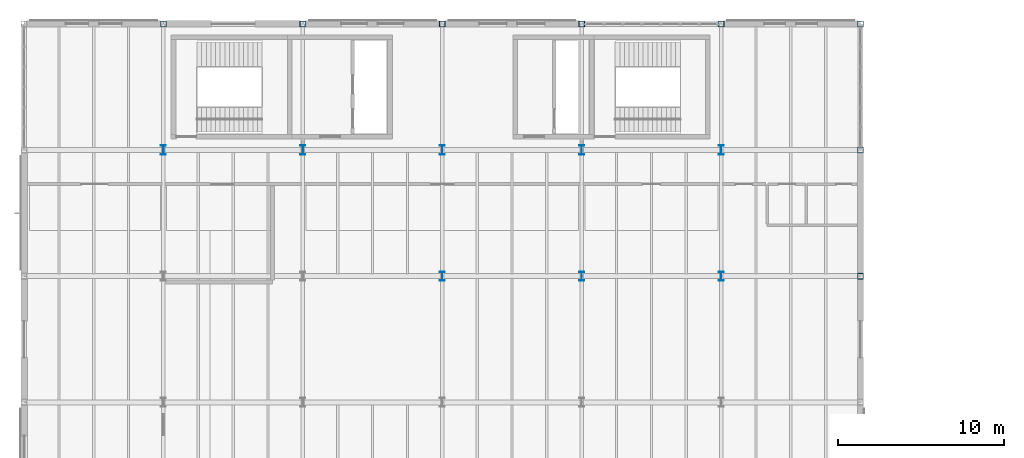
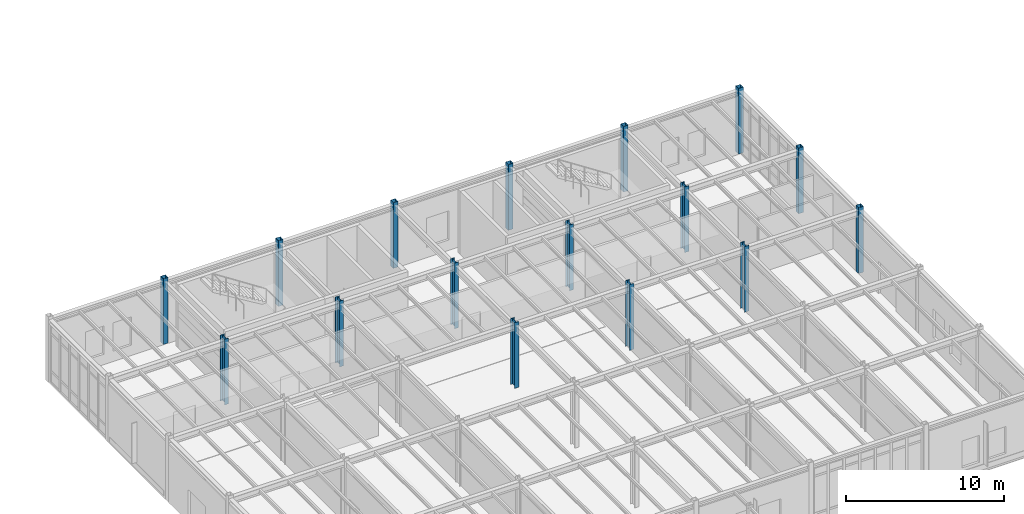
# One storey, part 19 of 109: 16 columns.
"""IFC4 building model written with IfcOpenShell, lengths in metres."""

from ifc_helpers import new_model, si_unit, direction, frame, origin, origin_2d, place, context, subcontext, project, spatial, hollow_rectangle, i_section, extrude, material, material_profile, profile_set, type_object, element, save


model = new_model("IFC4")

# Units and contexts
model_context = context("Model", 3, precision=1e-05, world=origin(), true_north=direction((0.0, 1.0)))
body_context = subcontext(model_context, "Body", "Model", "MODEL_VIEW")
ifc_project = project(units=[si_unit("LENGTHUNIT", "METRE"), si_unit("AREAUNIT", "SQUARE_METRE"), si_unit("VOLUMEUNIT", "CUBIC_METRE"), si_unit("PLANEANGLEUNIT", "RADIAN"), si_unit("MASSUNIT", "GRAM", prefix="KILO")], contexts=[model_context])

# Site, building, storey
site_placement = place(None, origin())
site = spatial("IfcSite", under=ifc_project, at=site_placement, CompositionType="ELEMENT")
building_placement = place(site_placement, origin())
building = spatial("IfcBuilding", under=site, at=building_placement, Name="Montecoro Central Library", CompositionType="ELEMENT")
storey_placement = place(building_placement, origin())
storey = spatial("IfcBuildingStorey", under=building, at=storey_placement, Name="L00", CompositionType="ELEMENT", Elevation=0.0)

# Columns
ifc_material = material(Name="Steel S355J2", Category="steel")
ifc_material_profile_1 = material_profile(ifc_material, i_section(OverallWidth=0.300048828125, OverallDepth=0.550048828125, WebThickness=0.014892578125, FlangeThickness=0.029052734375, at=origin_2d()), Name="HEB 550")
ifc_profile_set_1 = profile_set([ifc_material_profile_1], Name="Steel S355J2")
column_type_1 = type_object("IfcColumnType", Name="COL-HEB550", PredefinedType="COLUMN", material=ifc_profile_set_1)
for number, where, z_axis, x_axis, name in (
    (1, (74.800048828125, 111.39990234375, 0.0), (0.0, 0.0, 1.0), (1.0, 0.0, 0.0), "V2-L00-COL-10-Q"),
    (2, (83.199951171875, 111.39990234375, 0.0), (0.0, 0.0, 1.0), (1.0, 0.0, 0.0), "V2-L00-COL-11-Q"),
    (3, (91.60009765625, 103.800048828125, 0.0), (0.0, 0.0, 1.0), (1.0, 0.0, 0.0), "V2-L00-COL-12-P"),
    (4, (91.60009765625, 111.39990234375, 0.0), (0.0, 0.0, 1.0), (1.0, 0.0, 0.0), "V2-L00-COL-12-Q"),
    (5, (100.0, 103.800048828125, 0.0), (0.0, 0.0, 1.0), (1.0, 0.0, 0.0), "V2-L00-COL-13-P"),
    (6, (100.0, 111.39990234375, 0.0), (0.0, 0.0, 1.0), (1.0, 0.0, 0.0), "V2-L00-COL-13-Q"),
    (7, (108.39990234375, 103.800048828125, 0.0), (0.0, 0.0, 1.0), (1.0, 0.0, 0.0), "V2-L00-COL-14-P"),
    (8, (108.39990234375, 111.39990234375, 0.0), (0.0, 0.0, 1.0), (1.0, 0.0, 0.0), "V2-L00-COL-14-Q"),
):
    element("IfcColumn", number, at=place(storey_placement, frame(where, z_axis=z_axis, x_axis=x_axis)), inside=storey, type_object=column_type_1, Name=name, PredefinedType="COLUMN", context=body_context, shape_type="SweptSolid", body=[
        extrude(i_section(OverallWidth=0.300048828125, OverallDepth=0.550048828125, WebThickness=0.014892578125, FlangeThickness=0.029052734375, at=origin_2d()), origin(), (0.0, 0.0, 1.0), 5.074951171875),
    ])
ifc_material_profile_2 = material_profile(ifc_material, hollow_rectangle(XDim=0.35009765625, YDim=0.35009765625, WallThickness=0.01416015625, at=origin_2d()), Name="SHS 350x350x14.2")
ifc_profile_set_2 = profile_set([ifc_material_profile_2], Name="Steel S355J2")
column_type_2 = type_object("IfcColumnType", Name="COL-SHS350", PredefinedType="COLUMN", material=ifc_profile_set_2)
for number, where, z_axis, x_axis, name in (
    (9, (74.800048828125, 119.0, 0.0), (0.0, 0.0, 1.0), (1.0, 0.0, 0.0), "V2-L00-COL-10-R"),
    (10, (83.199951171875, 119.0, 0.0), (0.0, 0.0, 1.0), (1.0, 0.0, 0.0), "V2-L00-COL-11-R"),
    (11, (91.60009765625, 119.0, 0.0), (0.0, 0.0, 1.0), (1.0, 0.0, 0.0), "V2-L00-COL-12-R"),
    (12, (100.0, 119.0, 0.0), (0.0, 0.0, 1.0), (1.0, 0.0, 0.0), "V2-L00-COL-13-R"),
    (13, (108.39990234375, 119.0, 0.0), (0.0, 0.0, 1.0), (1.0, 0.0, 0.0), "V2-L00-COL-14-R"),
    (14, (116.800048828125, 103.800048828125, 0.0), (0.0, 0.0, 1.0), (1.0, 0.0, 0.0), "V2-L00-COL-15-P"),
    (15, (116.800048828125, 111.39990234375, 0.0), (0.0, 0.0, 1.0), (1.0, 0.0, 0.0), "V2-L00-COL-15-Q"),
    (16, (116.800048828125, 119.0, 0.0), (0.0, 0.0, 1.0), (1.0, 0.0, 0.0), "V2-L00-COL-15-R"),
):
    element("IfcColumn", number, at=place(storey_placement, frame(where, z_axis=z_axis, x_axis=x_axis)), inside=storey, type_object=column_type_2, Name=name, PredefinedType="COLUMN", context=body_context, shape_type="SweptSolid", body=[
        extrude(hollow_rectangle(XDim=0.35009765625, YDim=0.35009765625, WallThickness=0.01416015625, at=origin_2d()), origin(), (0.0, 0.0, 1.0), 5.074951171875),
    ])

save(model, "model.ifc")
